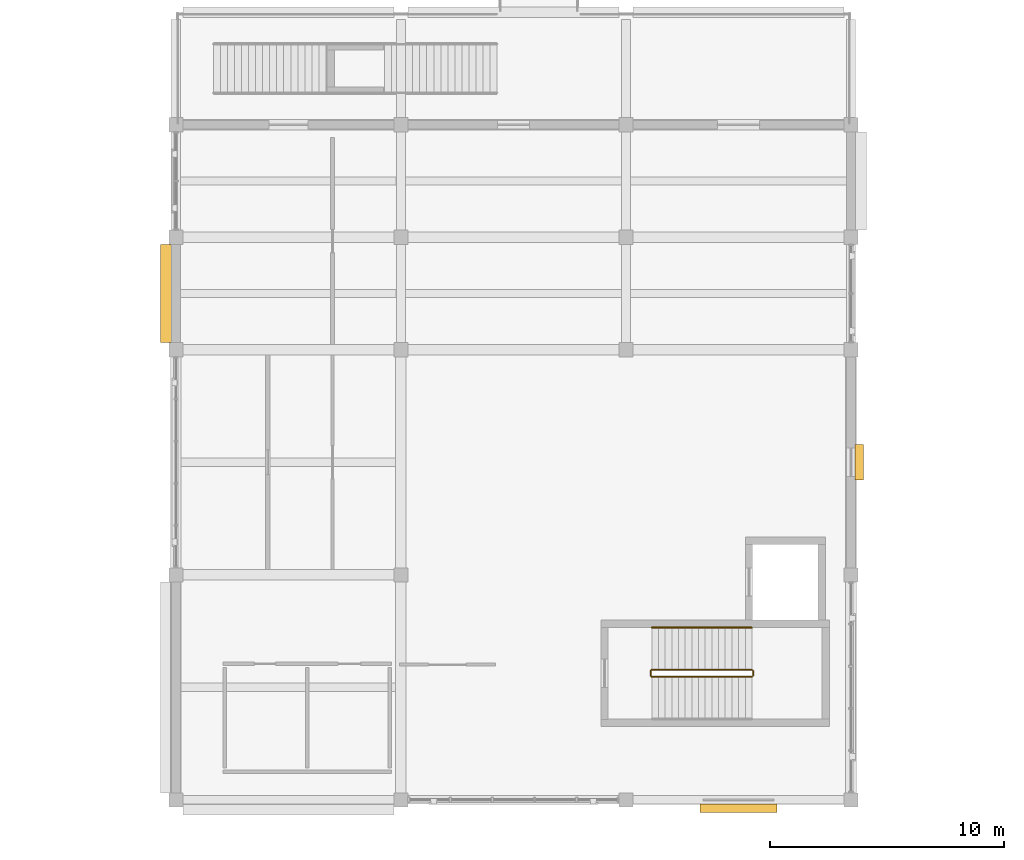
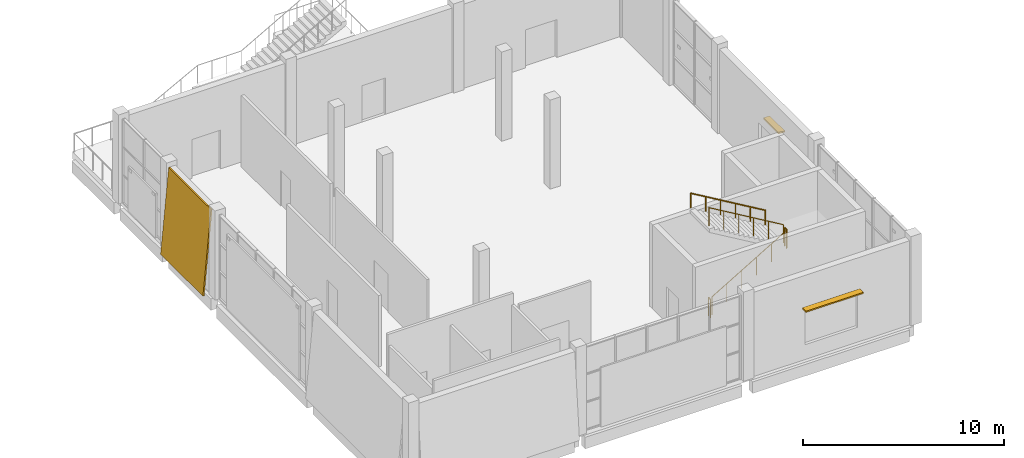
# One storey, part 59 of 72: 5 railings, 2 shading devices, 1 covering.
"""IFC4 building model written with IfcOpenShell, lengths in metres."""

from ifc_helpers import new_model, si_unit, direction, frame, origin, origin_2d, place, context, subcontext, project, spatial, polyline, rectangle, circle, outline, extrude, material, layer, layer_set, type_object, element, save


model = new_model("IFC4")

# Units and contexts
model_context = context("Model", 3, precision=1e-05, world=origin(), true_north=direction((0.0, 1.0)))
body_context = subcontext(model_context, "Body", "Model", "MODEL_VIEW")
ifc_project = project(units=[si_unit("LENGTHUNIT", "METRE"), si_unit("AREAUNIT", "SQUARE_METRE"), si_unit("VOLUMEUNIT", "CUBIC_METRE"), si_unit("PLANEANGLEUNIT", "RADIAN"), si_unit("MASSUNIT", "GRAM", prefix="KILO")], contexts=[model_context])

# Site, building, storey
site_placement = place(None, origin())
site = spatial("IfcSite", under=ifc_project, at=site_placement, CompositionType="ELEMENT")
building_placement = place(site_placement, origin())
building = spatial("IfcBuilding", under=site, at=building_placement, Name="Shalvenor Court Art Gallery", CompositionType="ELEMENT")
storey_placement = place(building_placement, frame((0.0, 0.0, 11.39990234375)))
storey = spatial("IfcBuildingStorey", under=building, at=storey_placement, Name="L02", CompositionType="ELEMENT", Elevation=11.39990234375)

# Covering
ifc_material_1 = material(Name="Pale Mediterranean limestone cladding", Category="masonry")
ifc_layer = layer(ifc_material_1, 0.080078125, Name="Pale Mediterranean limestone cladding")
ifc_layer_set = layer_set([ifc_layer], Name="Pale Mediterranean limestone cladding")
covering_type = type_object("IfcCoveringType", Name="CLD-01", PredefinedType="CLADDING", material=ifc_layer_set)
covering_placement = place(storey_placement, frame((95.345947265625, 23.699951171875, 0.0), z_axis=(0.0, 0.0, 1.0), x_axis=(0.0, -1.0, 0.0)))
element("IfcCovering", 1, at=covering_placement, inside=storey, type_object=covering_type, Name="L02 V3 Tapered Limestone Cladding 55", PredefinedType="CLADDING", context=body_context, shape_type="SweptSolid", body=[
    extrude(outline(polyline([(0.0, 0.0), (4.199951171875, 0.0), (4.199951171875, 5.12109375), (0.0, 5.12109375), (0.0, 0.0)])), frame((0.0, 0.0, 0.0), z_axis=(0.0, -0.995884398616, 0.090632580198), x_axis=(1.0, 0.0, 0.0)), (0.0, 0.090632580198, -0.995884398616), 0.080322265625),
])

# Railings
ifc_material_2 = material(Name="Painted steel post-and-rail guard", Category="steel")
railing_type_1 = type_object("IfcRailingType", Name="GR-02", PredefinedType="GUARDRAIL", material=ifc_material_2)
railing_1_placement = place(storey_placement, frame((116.300048828125, 5.25, 0.1689453125)))
element("IfcRailing", 2, at=railing_1_placement, inside=storey, type_object=railing_type_1, Name="L02 ST-04 Stair Guard 1", PredefinedType="GUARDRAIL", context=body_context, shape_type="SweptSolid", body=[
    extrude(circle(Radius=0.02392578125, at=origin_2d()), frame((0.0, 0.0, 1.09619140625), z_axis=(0.860470286479, 0.0, 0.509500624227), x_axis=(0.0, 1.0, 0.0)), (0.0, 0.0, 1.0), 4.968017578125),
    extrude(circle(Radius=0.02099609375, at=origin_2d()), origin(), (0.0, 0.0, 1.0), 1.072021484375),
    extrude(circle(Radius=0.02099609375, at=origin_2d()), frame((0.85498046875, 0.0, 0.50634765625)), (0.0, 0.0, 1.0), 1.072021484375),
    extrude(circle(Radius=0.02099609375, at=origin_2d()), frame((1.7099609375, 0.0, 1.012451171875)), (0.0, 0.0, 1.0), 1.072021484375),
    extrude(circle(Radius=0.02099609375, at=origin_2d()), frame((2.56494140625, 0.0, 1.518798828125)), (0.0, 0.0, 1.0), 1.072021484375),
    extrude(circle(Radius=0.02099609375, at=origin_2d()), frame((3.419921875, 0.0, 2.02490234375)), (0.0, 0.0, 1.0), 1.072021484375),
    extrude(circle(Radius=0.02099609375, at=origin_2d()), frame((4.27490234375, 0.0, 2.53125)), (0.0, 0.0, 1.0), 1.072021484375),
])
railing_2_placement = place(storey_placement, frame((120.625, 5.300048828125, 2.7001953125)))
element("IfcRailing", 3, at=railing_2_placement, inside=storey, type_object=railing_type_1, Name="L02 ST-04 Stair Guard 2", PredefinedType="GUARDRAIL", context=body_context, shape_type="SweptSolid", body=[
    extrude(circle(Radius=0.02392578125, at=origin_2d()), frame((0.0, 0.0, 1.09619140625), z_axis=(0.0, 1.0, 0.0), x_axis=(-1.0, 0.0, 0.0)), (0.0, 0.0, 1.0), 0.199951171875),
    extrude(circle(Radius=0.02099609375, at=origin_2d()), origin(), (0.0, 0.0, 1.0), 1.072021484375),
    extrude(circle(Radius=0.02099609375, at=origin_2d()), frame((0.0, 0.199951171875, 0.0)), (0.0, 0.0, 1.0), 1.072021484375),
])
railing_3_placement = place(storey_placement, frame((120.574951171875, 5.550048828125, 2.868896484375)))
element("IfcRailing", 4, at=railing_3_placement, inside=storey, type_object=railing_type_1, Name="L02 ST-04 Stair Guard 3", PredefinedType="GUARDRAIL", context=body_context, shape_type="SweptSolid", body=[
    extrude(circle(Radius=0.02392578125, at=origin_2d()), frame((0.0, 0.0, 1.09619140625), z_axis=(-0.860470286479, 0.0, 0.509500624227), x_axis=(0.0, -1.0, 0.0)), (0.0, 0.0, 1.0), 4.968017578125),
    extrude(circle(Radius=0.02099609375, at=origin_2d()), origin(), (0.0, 0.0, 1.0), 1.072021484375),
    extrude(circle(Radius=0.02099609375, at=origin_2d()), frame((-0.85498046875, 0.0, 0.50634765625)), (0.0, 0.0, 1.0), 1.072021484375),
    extrude(circle(Radius=0.02099609375, at=origin_2d()), frame((-1.7099609375, 0.0, 1.012451171875)), (0.0, 0.0, 1.0), 1.072021484375),
    extrude(circle(Radius=0.02099609375, at=origin_2d()), frame((-2.56494140625, 0.0, 1.518798828125)), (0.0, 0.0, 1.0), 1.072021484375),
    extrude(circle(Radius=0.02099609375, at=origin_2d()), frame((-3.419921875, 0.0, 2.02490234375)), (0.0, 0.0, 1.0), 1.072021484375),
    extrude(circle(Radius=0.02099609375, at=origin_2d()), frame((-4.27490234375, 0.0, 2.53125)), (0.0, 0.0, 1.0), 1.072021484375),
])
railing_4_placement = place(storey_placement, frame((116.25, 5.300048828125, 0.0)))
element("IfcRailing", 5, at=railing_4_placement, inside=storey, type_object=railing_type_1, Name="L02 ST-04 Stair Guard 4", PredefinedType="GUARDRAIL", context=body_context, shape_type="SweptSolid", body=[
    extrude(circle(Radius=0.02392578125, at=origin_2d()), frame((0.0, 0.0, 1.09619140625), z_axis=(0.0, 1.0, 0.0), x_axis=(-1.0, 0.0, 0.0)), (0.0, 0.0, 1.0), 0.199951171875),
    extrude(circle(Radius=0.02099609375, at=origin_2d()), origin(), (0.0, 0.0, 1.0), 1.072021484375),
    extrude(circle(Radius=0.02099609375, at=origin_2d()), frame((0.0, 0.199951171875, 0.0)), (0.0, 0.0, 1.0), 1.072021484375),
])
ifc_material_3 = material(Name="Brushed stainless steel handrail", Category="steel")
railing_type_2 = type_object("IfcRailingType", Name="HR-01", PredefinedType="HANDRAIL", material=ifc_material_3)
railing_5_placement = place(storey_placement, frame((120.574951171875, 7.35009765625, 2.868896484375)))
element("IfcRailing", 6, at=railing_5_placement, inside=storey, type_object=railing_type_2, Name="L02 ST-04 Stair Handrail 2", PredefinedType="HANDRAIL", context=body_context, shape_type="SweptSolid", body=[
    extrude(circle(Radius=0.02392578125, at=origin_2d()), frame((0.0, 0.0, 0.8759765625), z_axis=(-0.860470286479, 0.0, 0.509500624227), x_axis=(0.0, -1.0, 0.0)), (0.0, 0.0, 1.0), 4.968017578125),
    extrude(circle(Radius=0.02099609375, at=origin_2d()), origin(), (0.0, 0.0, 1.0), 0.851806640625),
    extrude(circle(Radius=0.02099609375, at=origin_2d()), frame((-0.85498046875, 0.0, 0.50634765625)), (0.0, 0.0, 1.0), 0.851806640625),
    extrude(circle(Radius=0.02099609375, at=origin_2d()), frame((-1.7099609375, 0.0, 1.012451171875)), (0.0, 0.0, 1.0), 0.851806640625),
    extrude(circle(Radius=0.02099609375, at=origin_2d()), frame((-2.56494140625, 0.0, 1.518798828125)), (0.0, 0.0, 1.0), 0.851806640625),
    extrude(circle(Radius=0.02099609375, at=origin_2d()), frame((-3.419921875, 0.0, 2.02490234375)), (0.0, 0.0, 1.0), 0.851806640625),
    extrude(circle(Radius=0.02099609375, at=origin_2d()), frame((-4.27490234375, 0.0, 2.53125)), (0.0, 0.0, 1.0), 0.851806640625),
])

# Shading devices
ifc_material_4 = material(Name="Dark anodised bronze aluminium louvre", Category="aluminium")
shading_device_type = type_object("IfcShadingDeviceType", Name="SHD-01", PredefinedType="JALOUSIE", material=ifc_material_4)
shading_device_1_placement = place(storey_placement, frame((125.14990234375, 14.39990234375, 3.0), z_axis=(0.0, 0.0, 1.0), x_axis=(0.0, -1.0, 0.0)))
element("IfcShadingDevice", 7, at=shading_device_1_placement, inside=storey, type_object=shading_device_type, Name="L02 Koushi Window Sunshade 52", PredefinedType="JALOUSIE", context=body_context, shape_type="SweptSolid", body=[
    extrude(rectangle(XDim=1.5, YDim=0.360107421875, at=origin_2d()), origin(), (0.0, 0.0, 1.0), 0.080078125),
])
shading_device_2_placement = place(storey_placement, frame((120.0, -0.35009765625, 3.10009765625), z_axis=(0.0, 0.0, 1.0), x_axis=(-1.0, 0.0, 0.0)))
element("IfcShadingDevice", 8, at=shading_device_2_placement, inside=storey, type_object=shading_device_type, Name="L02 Koushi Window Sunshade 53", PredefinedType="JALOUSIE", context=body_context, shape_type="SweptSolid", body=[
    extrude(rectangle(XDim=3.300048828125, YDim=0.360107421875, at=origin_2d()), origin(), (0.0, 0.0, 1.0), 0.080078125),
])

save(model, "model.ifc")
